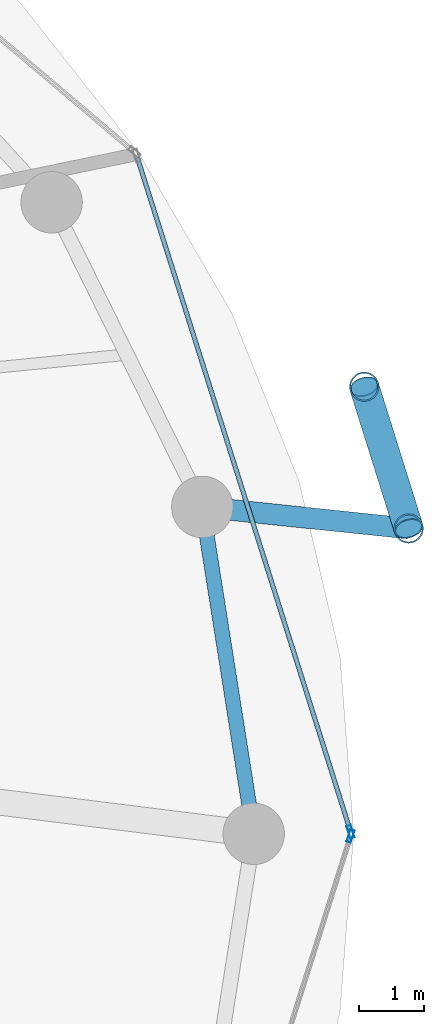
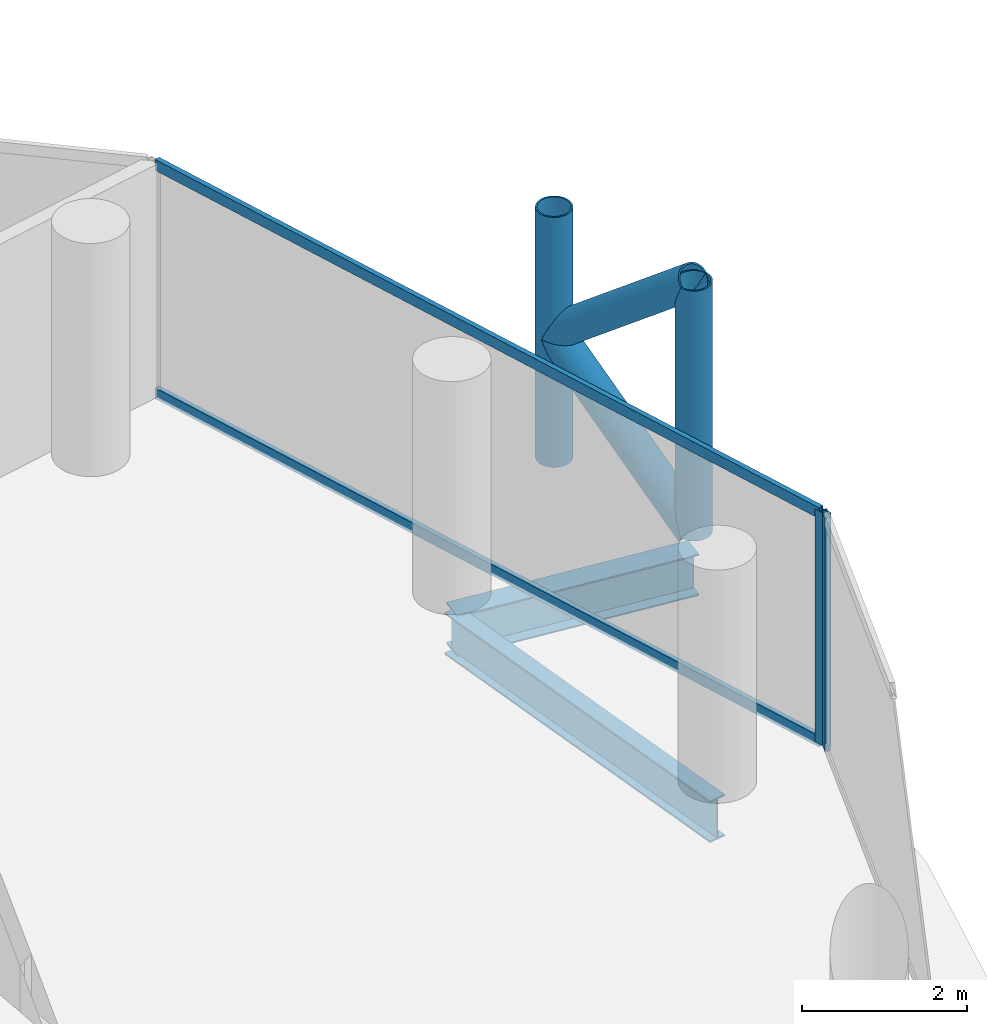
# One storey, part 12 of 26: 8 members, 2 beams, 2 elements without a shape of their own.
"""IFC4 building model written with IfcOpenShell, lengths in metres."""

from ifc_helpers import new_model, si_unit, direction, frame, origin, origin_2d, place, context, subcontext, project, spatial, hollow_rectangle, hollow_circle, i_section, extrude, material, layer, layer_set, material_profile, profile_set, type_object, element, aggregate, save


model = new_model("IFC4")

# Units and contexts
model_context = context("Model", 3, precision=1e-05, world=origin(), true_north=direction((0.0, 1.0)))
body_context = subcontext(model_context, "Body", "Model", "MODEL_VIEW")
ifc_project = project(units=[si_unit("LENGTHUNIT", "METRE"), si_unit("AREAUNIT", "SQUARE_METRE"), si_unit("VOLUMEUNIT", "CUBIC_METRE"), si_unit("PLANEANGLEUNIT", "RADIAN"), si_unit("MASSUNIT", "GRAM", prefix="KILO")], contexts=[model_context])

# Site, building, storey
site_placement = place(None, origin())
site = spatial("IfcSite", under=ifc_project, at=site_placement, CompositionType="ELEMENT")
building_placement = place(site_placement, origin())
building = spatial("IfcBuilding", under=site, at=building_placement, Name="Nuhasar Tower", CompositionType="ELEMENT")
storey_placement = place(building_placement, frame((0.0, 0.0, 140.449951171875)))
storey = spatial("IfcBuildingStorey", under=building, at=storey_placement, Name="L33", CompositionType="ELEMENT", Elevation=140.449951171875)

# Beams
ifc_material_1 = material(Name="Steel S355", Category="steel")
ifc_material_profile_1 = material_profile(ifc_material_1, i_section(OverallWidth=0.22998046875, OverallDepth=0.616943359375, WebThickness=0.01318359375, FlangeThickness=0.022216796875, at=origin_2d()), Name="W24X94")
ifc_profile_set_1 = profile_set([ifc_material_profile_1], Name="Steel S355")
beam_type_1 = type_object("IfcBeamType", Name="BM-RING-W24X94", PredefinedType="SPANDREL", material=ifc_profile_set_1)
beam_1_placement = place(storey_placement, frame((62.35009765625, 26.800048828125, -0.558837890625), z_axis=(-0.155426543608, 0.987847452566, 0.0), x_axis=(-0.987847452566, -0.155426543608, 0.0)))
element("IfcBeam", 1, at=beam_1_placement, inside=storey, type_object=beam_type_1, Name="L33 Perimeter Ring Spandrel 01", PredefinedType="SPANDREL", context=body_context, shape_type="SweptSolid", body=[
    extrude(i_section(OverallWidth=0.22998046875, OverallDepth=0.616943359375, WebThickness=0.01318359375, FlangeThickness=0.022216796875, at=origin_2d()), origin(), (0.0, 0.0, 1.0), 5.122314453125),
])
ifc_material_profile_2 = material_profile(ifc_material_1, i_section(OverallWidth=0.323974609375, OverallDepth=0.611083984375, WebThickness=0.0126953125, FlangeThickness=0.01904296875, at=origin_2d()), Name="W24X104")
ifc_profile_set_2 = profile_set([ifc_material_profile_2], Name="Steel S355")
beam_type_2 = type_object("IfcBeamType", Name="BM-TIE-W24X104", PredefinedType="BEAM", material=ifc_profile_set_2)
beam_2_placement = place(storey_placement, frame((61.553955078125, 31.860107421875, -0.555908203125), z_axis=(0.994569828715, -0.104071397654, 0.0), x_axis=(0.104071397654, 0.994569828715, 0.0)))
element("IfcBeam", 2, at=beam_2_placement, inside=storey, type_object=beam_type_2, Name="L33 Exoskeleton Node Tie Beam 01", PredefinedType="BEAM", context=body_context, shape_type="SweptSolid", body=[
    extrude(i_section(OverallWidth=0.323974609375, OverallDepth=0.611083984375, WebThickness=0.0126953125, FlangeThickness=0.01904296875, at=origin_2d()), origin(), (0.0, 0.0, 1.0), 3.21142578125),
])

# Curtain wall, member
ifc_material_2 = material(Name="Aluminium 6063-T6", Category="aluminium")
ifc_layer = layer(ifc_material_2, 0.199951171875)
ifc_layer_set = layer_set([ifc_layer], Name="Aluminium 6063-T6")
curtain_wall_type = type_object("IfcCurtainWallType", Name="CW-Z2-HTL", PredefinedType="NOTDEFINED", material=ifc_layer_set)
curtain_wall_1_placement = place(storey_placement, origin())
curtain_wall_1 = element("IfcCurtainWall", 3, at=curtain_wall_1_placement, inside=storey, type_object=curtain_wall_type, Name="L33 Unitised Curtain Wall 01", PredefinedType="NOTDEFINED")
ifc_material_profile_3 = material_profile(ifc_material_2, hollow_rectangle(XDim=0.070068359375, YDim=0.199951171875, WallThickness=0.0048828125, at=origin_2d()), Name="CWM-3")
ifc_profile_set_3 = profile_set([ifc_material_profile_3], Name="Aluminium 6063-T6")
member_type_1 = type_object("IfcMemberType", Name="CW-MUL-S3", PredefinedType="MULLION", material=ifc_profile_set_3)
member_1_placement = place(storey_placement, frame((63.849365234375, 26.833251953125, 0.0), z_axis=(0.0, 0.0, 1.0), x_axis=(-0.953433389233, -0.301603667577, 0.0)))
member_1 = element("IfcMember", 4, at=member_1_placement, type_object=member_type_1, Name="CW-Z2 mullion 1", PredefinedType="MULLION", context=body_context, shape_type="SweptSolid", body=[
    extrude(hollow_rectangle(XDim=0.070068359375, YDim=0.199951171875, WallThickness=0.0048828125, at=origin_2d()), origin(), (0.0, 0.0, 1.0), 3.449951171875),
])

curtain_wall_2_placement = place(storey_placement, origin())
curtain_wall_2 = element("IfcCurtainWall", 5, at=curtain_wall_2_placement, inside=storey, type_object=curtain_wall_type, Name="L33 Unitised Curtain Wall 12", PredefinedType="NOTDEFINED")
member_2_placement = place(storey_placement, frame((63.849365234375, 26.7666015625, 0.0), z_axis=(0.0, 0.0, 1.0), x_axis=(-0.953433389233, 0.301603667577, 0.0)))
member_2 = element("IfcMember", 6, at=member_2_placement, type_object=member_type_1, Name="CW-Z2 mullion 2", PredefinedType="MULLION", context=body_context, shape_type="SweptSolid", body=[
    extrude(hollow_rectangle(XDim=0.070068359375, YDim=0.199951171875, WallThickness=0.0048828125, at=origin_2d()), origin(), (0.0, 0.0, 1.0), 3.449951171875),
])
aggregate(curtain_wall_2, [member_2])

# Member
ifc_material_profile_4 = material_profile(ifc_material_2, hollow_rectangle(XDim=0.070068359375, YDim=0.159912109375, WallThickness=0.00439453125, at=origin_2d()), Name="CWT-3")
ifc_profile_set_4 = profile_set([ifc_material_profile_4], Name="Aluminium 6063-T6")
member_type_2 = type_object("IfcMemberType", Name="CW-TRN-S3", PredefinedType="USERDEFINED", material=ifc_profile_set_4)
member_3_placement = place(storey_placement, frame((63.8388671875, 26.86669921875, 0.03515625), z_axis=(-0.301608163352, 0.953431967053, 0.0), x_axis=(-0.953431967053, -0.301608163352, 0.0)))
member_3 = element("IfcMember", 7, at=member_3_placement, type_object=member_type_2, Name="CW-Z2 transom 1.1", ObjectType="TRANSOM", PredefinedType="USERDEFINED", context=body_context, shape_type="SweptSolid", body=[
    extrude(hollow_rectangle(XDim=0.070068359375, YDim=0.159912109375, WallThickness=0.00439453125, at=origin_2d()), origin(), (0.0, 0.0, 1.0), 10.904296875),
])

member_4_placement = place(storey_placement, frame((63.8388671875, 26.86669921875, 3.4150390625), z_axis=(-0.301608163352, 0.953431967053, 0.0), x_axis=(-0.953431967053, -0.301608163352, 0.0)))
member_4 = element("IfcMember", 8, at=member_4_placement, type_object=member_type_2, Name="CW-Z2 transom 1.2", ObjectType="TRANSOM", PredefinedType="USERDEFINED", context=body_context, shape_type="SweptSolid", body=[
    extrude(hollow_rectangle(XDim=0.070068359375, YDim=0.159912109375, WallThickness=0.00439453125, at=origin_2d()), origin(), (0.0, 0.0, 1.0), 10.904296875),
])

aggregate(curtain_wall_1, [member_1, member_3, member_4])

# Members
ifc_material_3 = material(Name="Steel S460", Category="steel")
ifc_material_profile_5 = material_profile(ifc_material_3, hollow_circle(Radius=0.228515625, WallThickness=0.022216796875, at=origin_2d()), Name="HSS457X22.2")
ifc_profile_set_5 = profile_set([ifc_material_profile_5], Name="Steel S460")
member_type_3 = type_object("IfcMemberType", Name="EXO-BRONZE-457", PredefinedType="BRACE", material=ifc_profile_set_5)
for number, where, z_axis, x_axis, name in (
    (9, (64.748046875, 31.52587890625, 0.0), (0.0, 0.0, 1.0), (1.0, 0.0, 0.0), "L33 Exoskeleton Chord Column EC-01A"),
    (10, (64.06005859375, 33.720947265625, 0.0), (0.0, 0.0, 1.0), (1.0, 0.0, 0.0), "L33 Exoskeleton Chord Column EC-01B"),
):
    element("IfcMember", number, at=place(storey_placement, frame(where, z_axis=z_axis, x_axis=x_axis)), inside=storey, type_object=member_type_3, Name=name, PredefinedType="BRACE", context=body_context, shape_type="SweptSolid", body=[
        extrude(hollow_circle(Radius=0.228515625, WallThickness=0.022216796875, at=origin_2d()), origin(), (0.0, 0.0, 1.0), 3.699951171875),
    ])
member_5_placement = place(storey_placement, frame((64.748046875, 31.52587890625, 0.0), z_axis=(-0.233055548538, 0.743577869731, 0.626719285599), x_axis=(-0.954228474306, -0.29907861646, 0.0)))
element("IfcMember", 11, at=member_5_placement, inside=storey, type_object=member_type_3, Name="L33 Bronze Diagrid Brace W1-01", PredefinedType="BRACE", context=body_context, shape_type="SweptSolid", body=[
    extrude(hollow_circle(Radius=0.228515625, WallThickness=0.022216796875, at=origin_2d()), origin(), (0.0, 0.0, 1.0), 2.9521484375),
])
member_6_placement = place(storey_placement, frame((64.06005859375, 33.720947265625, 1.85009765625), z_axis=(0.233067628236, -0.74361641074, 0.626669062861), x_axis=(0.954228474306, 0.29907861646, 0.0)))
element("IfcMember", 12, at=member_6_placement, inside=storey, type_object=member_type_3, Name="L33 Bronze Diagrid Brace W2-01", PredefinedType="BRACE", context=body_context, shape_type="SweptSolid", body=[
    extrude(hollow_circle(Radius=0.228515625, WallThickness=0.022216796875, at=origin_2d()), origin(), (0.0, 0.0, 1.0), 2.951904296875),
])

save(model, "model.ifc")
